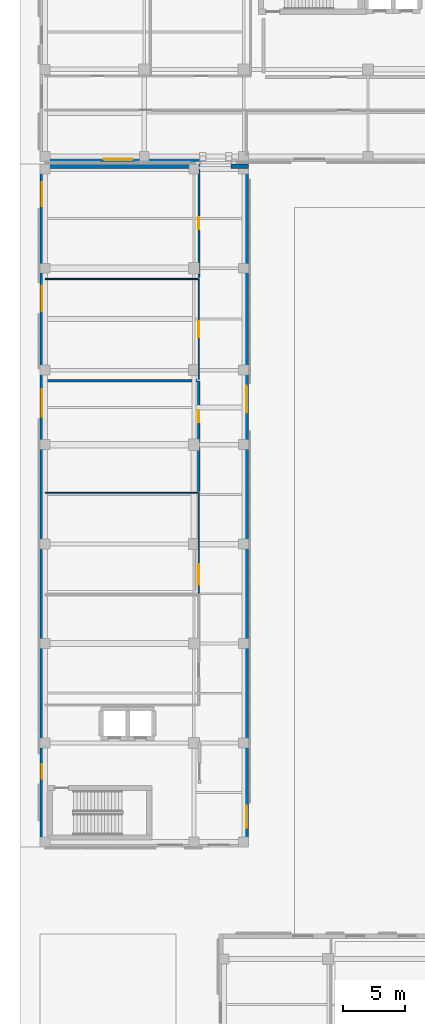
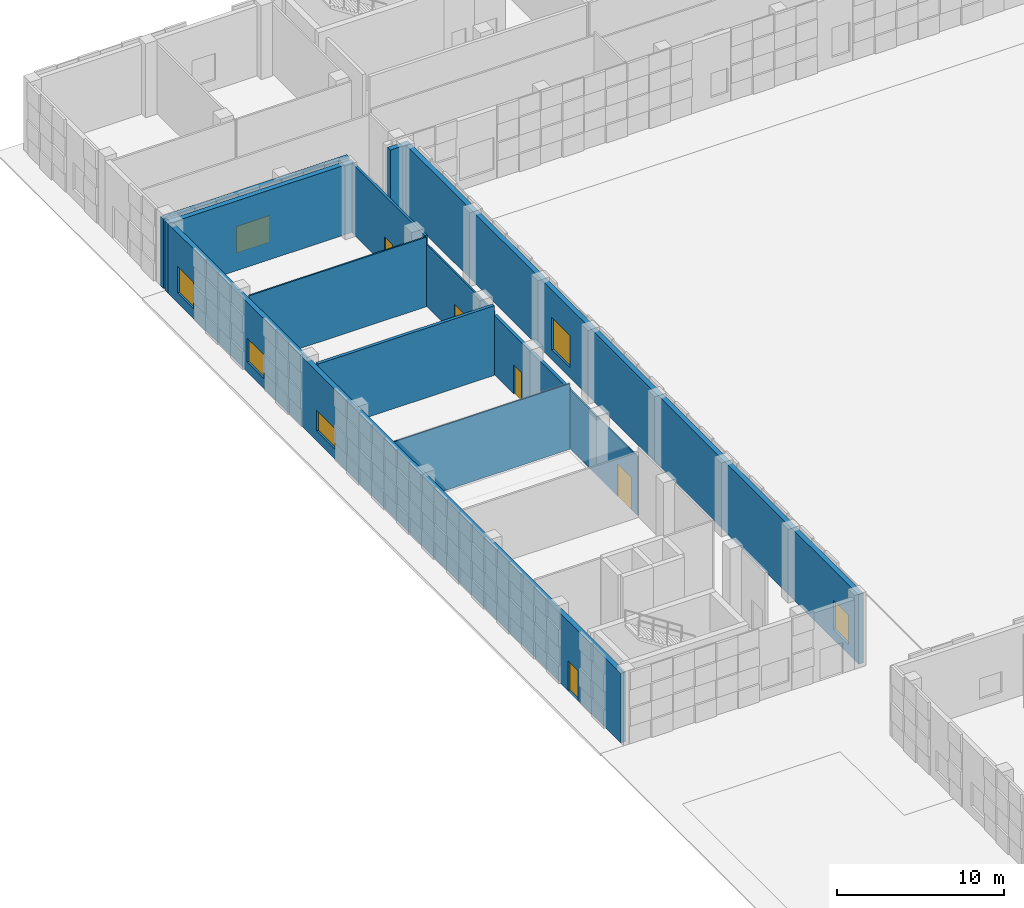
# One storey, part 13 of 40: 12 walls, 6 windows, 5 doors, 11 openings.
"""IFC4 building model written with IfcOpenShell, lengths in metres."""

from ifc_helpers import new_model, si_unit, direction, frame, frame_2d, origin, place, context, subcontext, project, spatial, rectangle, extrude, material, layer, layer_set, type_object, element, fill, save


model = new_model("IFC4")

# Units and contexts
model_context = context("Model", 3, precision=1e-05, world=origin(), true_north=direction((0.0, 1.0)))
body_context = subcontext(model_context, "Body", "Model", "MODEL_VIEW")
ifc_project = project(units=[si_unit("LENGTHUNIT", "METRE"), si_unit("AREAUNIT", "SQUARE_METRE"), si_unit("VOLUMEUNIT", "CUBIC_METRE"), si_unit("PLANEANGLEUNIT", "RADIAN"), si_unit("MASSUNIT", "GRAM", prefix="KILO")], contexts=[model_context])

# Site, building, storey
site_placement = place(None, origin())
site = spatial("IfcSite", under=ifc_project, at=site_placement, CompositionType="ELEMENT")
building_placement = place(site_placement, origin())
building = spatial("IfcBuilding", under=site, at=building_placement, Name="Qalavern Law Courts", CompositionType="ELEMENT")
storey_placement = place(building_placement, origin())
storey = spatial("IfcBuildingStorey", under=building, at=storey_placement, Name="L00", CompositionType="ELEMENT", Elevation=0.0)

# Wall, openings, windows
ifc_material_1 = material(Name="Concrete C40/50", Category="concrete")
ifc_layer_1 = layer(ifc_material_1, 0.340087890625)
ifc_layer_set_1 = layer_set([ifc_layer_1], Name="Concrete C40/50")
wall_type_1 = type_object("IfcWallType", Name="ENV-EW-340", PredefinedType="SOLIDWALL", material=ifc_layer_set_1)
wall_1_placement = place(storey_placement, frame((18.6298828125, 41.35498046875, 0.0), z_axis=(0.0, 0.0, 1.0), x_axis=(0.0, 1.0, 0.0)))
wall_1 = element("IfcWall", 1, at=wall_1_placement, inside=storey, type_object=wall_type_1, Name="V3 exterior wall L00 east 1", PredefinedType="SOLIDWALL", context=body_context, shape_type="SweptSolid", body=[
    extrude(rectangle(XDim=54.2900390625, YDim=0.340087890625, at=frame_2d((27.14501953125, 0.0))), origin(), (0.0, 0.0, 1.0), 5.10009765625),
])
opening_1_placement = place(wall_1_placement, frame((1.175048828125, 0.0, 0.719970703125)))
opening_1 = element("IfcOpeningElement", 2, at=opening_1_placement, cuts=wall_1, Name="Opening WN-29", PredefinedType="OPENING", context=body_context, shape_type="SweptSolid", body=[
    extrude(rectangle(XDim=1.85009765625, YDim=2.14990234375, at=frame_2d((0.925048828125, 1.074951171875))), frame((0.0, 0.18505859375, 0.0), z_axis=(0.0, -1.0, 0.0), x_axis=(1.0, 0.0, 0.0)), (0.0, 0.0, 1.0), 0.369873046875),
])
opening_2_placement = place(wall_1_placement, frame((34.60009765625, 0.0, 0.719970703125)))
opening_2 = element("IfcOpeningElement", 3, at=opening_2_placement, cuts=wall_1, Name="Opening WN-37", PredefinedType="OPENING", context=body_context, shape_type="SweptSolid", body=[
    extrude(rectangle(XDim=2.199951171875, YDim=2.35009765625, at=frame_2d((1.10009765625, 1.175048828125))), frame((0.0, 0.18505859375, 0.0), z_axis=(0.0, -1.0, 0.0), x_axis=(1.0, 0.0, 0.0)), (0.0, 0.0, 1.0), 0.369873046875),
])
ifc_material_2 = material(Name="Anodised aluminium frame with low-E double glazing", Category="aluminium")
window_type_1 = type_object("IfcWindowType", Name="ENV-WIN-1850x2150", PartitioningType="SINGLE_PANEL", PredefinedType="WINDOW", material=ifc_material_2)
window_1_placement = place(opening_1_placement, origin())
window_1 = element("IfcWindow", 4, at=window_1_placement, inside=storey, type_object=window_type_1, Name="V3 window L00 east 1", OverallHeight=2.14990234375, OverallWidth=1.85009765625, PartitioningType="SINGLE_PANEL", PredefinedType="WINDOW", context=body_context, shape_type="SweptSolid", body=[
    extrude(rectangle(XDim=1.85009765625, YDim=2.14990234375, at=frame_2d((0.925048828125, 1.074951171875))), frame((0.0, 0.030029296875, 0.0), z_axis=(0.0, -1.0, 0.0), x_axis=(1.0, 0.0, 0.0)), (0.0, 0.0, 1.0), 0.06005859375),
])
fill(opening_1, window_1)
window_type_2 = type_object("IfcWindowType", Name="ENV-WIN-2200x2350", PartitioningType="SINGLE_PANEL", PredefinedType="WINDOW", material=ifc_material_2)
window_2_placement = place(opening_2_placement, origin())
window_2 = element("IfcWindow", 5, at=window_2_placement, inside=storey, type_object=window_type_2, Name="V3 window L00 east 9", OverallHeight=2.35009765625, OverallWidth=2.199951171875, PartitioningType="SINGLE_PANEL", PredefinedType="WINDOW", context=body_context, shape_type="SweptSolid", body=[
    extrude(rectangle(XDim=2.199951171875, YDim=2.35009765625, at=frame_2d((1.10009765625, 1.175048828125))), frame((0.0, 0.030029296875, 0.0), z_axis=(0.0, -1.0, 0.0), x_axis=(1.0, 0.0, 0.0)), (0.0, 0.0, 1.0), 0.06005859375),
])
fill(opening_2, window_2)

# Walls
wall_2_placement = place(storey_placement, frame((18.800048828125, 95.81005859375, 0.0), z_axis=(0.0, 0.0, 1.0), x_axis=(-1.0, 0.0, 0.0)))
element("IfcWall", 6, at=wall_2_placement, inside=storey, type_object=wall_type_1, Name="V3 exterior wall L00 north 1", PredefinedType="SOLIDWALL", context=body_context, shape_type="SweptSolid", body=[
    extrude(rectangle(XDim=1.400146484375, YDim=0.340087890625, at=frame_2d((0.7001953125, 0.0))), origin(), (0.0, 0.0, 1.0), 5.10009765625),
])
wall_3_placement = place(storey_placement, frame((14.89990234375, 95.81005859375, 0.0), z_axis=(0.0, 0.0, 1.0), x_axis=(-1.0, 0.0, 0.0)))
element("IfcWall", 7, at=wall_3_placement, inside=storey, type_object=wall_type_1, Name="V3 exterior wall L00 north 2", PredefinedType="SOLIDWALL", context=body_context, shape_type="SweptSolid", body=[
    extrude(rectangle(XDim=12.89990234375, YDim=0.340087890625, at=frame_2d((6.449951171875, 0.0))), origin(), (0.0, 0.0, 1.0), 5.10009765625),
])

# Wall, openings, door, windows
wall_4_placement = place(storey_placement, frame((2.169921875, 95.64501953125, 0.0), z_axis=(0.0, 0.0, 1.0), x_axis=(0.0, -1.0, 0.0)))
wall_4 = element("IfcWall", 8, at=wall_4_placement, inside=storey, type_object=wall_type_1, Name="V3 exterior wall L00 west 1", PredefinedType="SOLIDWALL", context=body_context, shape_type="SweptSolid", body=[
    extrude(rectangle(XDim=54.2900390625, YDim=0.340087890625, at=frame_2d((27.14501953125, 0.0))), origin(), (0.0, 0.0, 1.0), 5.10009765625),
])
opening_3_placement = place(wall_4_placement, frame((47.945068359375, 0.0, 0.0)))
opening_3 = element("IfcOpeningElement", 9, at=opening_3_placement, cuts=wall_4, Name="Opening ED-ST-K2", PredefinedType="OPENING", context=body_context, shape_type="SweptSolid", body=[
    extrude(rectangle(XDim=1.199951171875, YDim=2.199951171875, at=frame_2d((0.60009765625, 1.10009765625))), frame((0.0, 0.18505859375, 0.0), z_axis=(0.0, -1.0, 0.0), x_axis=(1.0, 0.0, 0.0)), (0.0, 0.0, 1.0), 0.369873046875),
])
opening_4_placement = place(wall_4_placement, frame((1.125, 0.0, 0.719970703125)))
opening_4 = element("IfcOpeningElement", 10, at=opening_4_placement, cuts=wall_4, Name="Opening WN-22", PredefinedType="OPENING", context=body_context, shape_type="SweptSolid", body=[
    extrude(rectangle(XDim=1.949951171875, YDim=1.949951171875, at=frame_2d((0.97509765625, 0.97509765625))), frame((0.0, 0.18505859375, 0.0), z_axis=(0.0, -1.0, 0.0), x_axis=(1.0, 0.0, 0.0)), (0.0, 0.0, 1.0), 0.369873046875),
])
opening_5_placement = place(wall_4_placement, frame((9.47509765625, 0.0, 0.719970703125)))
opening_5 = element("IfcOpeningElement", 11, at=opening_5_placement, cuts=wall_4, Name="Opening WN-15", PredefinedType="OPENING", context=body_context, shape_type="SweptSolid", body=[
    extrude(rectangle(XDim=2.050048828125, YDim=1.75, at=frame_2d((1.02490234375, 0.875))), frame((0.0, 0.18505859375, 0.0), z_axis=(0.0, -1.0, 0.0), x_axis=(1.0, 0.0, 0.0)), (0.0, 0.0, 1.0), 0.369873046875),
])
opening_6_placement = place(wall_4_placement, frame((17.800048828125, 0.0, 0.719970703125)))
opening_6 = element("IfcOpeningElement", 12, at=opening_6_placement, cuts=wall_4, Name="Opening WN-08", PredefinedType="OPENING", context=body_context, shape_type="SweptSolid", body=[
    extrude(rectangle(XDim=2.199951171875, YDim=1.5, at=frame_2d((1.10009765625, 0.75))), frame((0.0, 0.18505859375, 0.0), z_axis=(0.0, -1.0, 0.0), x_axis=(1.0, 0.0, 0.0)), (0.0, 0.0, 1.0), 0.369873046875),
])
ifc_material_3 = material(Name="Thermally broken anodised aluminium and laminated safety glass", Category="aluminium")
door_type_1 = type_object("IfcDoorType", Name="ENV-ED-1200x2200", OperationType="NOTDEFINED", PredefinedType="DOOR", material=ifc_material_3)
door_1_placement = place(opening_3_placement, frame((1.199951171875, 0.0, 0.0), z_axis=(0.0, 0.0, 1.0), x_axis=(-1.0, 0.0, 0.0)))
door_1 = element("IfcDoor", 13, at=door_1_placement, inside=storey, type_object=door_type_1, Name="Ground pedestrian exit door ED-ST-K2", OperationType="SINGLE_SWING_LEFT", OverallHeight=2.199951171875, OverallWidth=1.199951171875, PredefinedType="DOOR", context=body_context, shape_type="SweptSolid", body=[
    extrude(rectangle(XDim=1.199951171875, YDim=2.199951171875, at=frame_2d((0.60009765625, 1.10009765625))), frame((0.0, 0.02490234375, 0.0), z_axis=(0.0, -1.0, 0.0), x_axis=(1.0, 0.0, 0.0)), (0.0, 0.0, 1.0), 0.050048828125),
])
fill(opening_3, door_1)
window_type_3 = type_object("IfcWindowType", Name="ENV-WIN-1950x1950", PartitioningType="SINGLE_PANEL", PredefinedType="WINDOW", material=ifc_material_2)
window_3_placement = place(opening_4_placement, origin())
window_3 = element("IfcWindow", 14, at=window_3_placement, inside=storey, type_object=window_type_3, Name="V3 window L00 west 1", OverallHeight=1.949951171875, OverallWidth=1.949951171875, PartitioningType="SINGLE_PANEL", PredefinedType="WINDOW", context=body_context, shape_type="SweptSolid", body=[
    extrude(rectangle(XDim=1.949951171875, YDim=1.949951171875, at=frame_2d((0.97509765625, 0.97509765625))), frame((0.0, 0.030029296875, 0.0), z_axis=(0.0, -1.0, 0.0), x_axis=(1.0, 0.0, 0.0)), (0.0, 0.0, 1.0), 0.06005859375),
])
fill(opening_4, window_3)
window_type_4 = type_object("IfcWindowType", Name="ENV-WIN-2050x1750", PartitioningType="SINGLE_PANEL", PredefinedType="WINDOW", material=ifc_material_2)
window_4_placement = place(opening_5_placement, origin())
window_4 = element("IfcWindow", 15, at=window_4_placement, inside=storey, type_object=window_type_4, Name="V3 window L00 west 3", OverallHeight=1.75, OverallWidth=2.050048828125, PartitioningType="SINGLE_PANEL", PredefinedType="WINDOW", context=body_context, shape_type="SweptSolid", body=[
    extrude(rectangle(XDim=2.050048828125, YDim=1.75, at=frame_2d((1.02490234375, 0.875))), frame((0.0, 0.030029296875, 0.0), z_axis=(0.0, -1.0, 0.0), x_axis=(1.0, 0.0, 0.0)), (0.0, 0.0, 1.0), 0.06005859375),
])
fill(opening_5, window_4)
window_type_5 = type_object("IfcWindowType", Name="ENV-WIN-2200x1500", PartitioningType="SINGLE_PANEL", PredefinedType="WINDOW", material=ifc_material_2)
window_5_placement = place(opening_6_placement, origin())
window_5 = element("IfcWindow", 16, at=window_5_placement, inside=storey, type_object=window_type_5, Name="V3 window L00 west 5", OverallHeight=1.5, OverallWidth=2.199951171875, PartitioningType="SINGLE_PANEL", PredefinedType="WINDOW", context=body_context, shape_type="SweptSolid", body=[
    extrude(rectangle(XDim=2.199951171875, YDim=1.5, at=frame_2d((1.10009765625, 0.75))), frame((0.0, 0.030029296875, 0.0), z_axis=(0.0, -1.0, 0.0), x_axis=(1.0, 0.0, 0.0)), (0.0, 0.0, 1.0), 0.06005859375),
])
fill(opening_6, window_5)

# Wall, opening, window
wall_5_placement = place(storey_placement, frame((2.0, 96.3701171875, 0.0), z_axis=(0.0, 0.0, 1.0), x_axis=(1.0, 0.0, 0.0)))
wall_5 = element("IfcWall", 17, at=wall_5_placement, inside=storey, type_object=wall_type_1, Name="V5 exterior wall L00 south 1", PredefinedType="SOLIDWALL", context=body_context, shape_type="SweptSolid", body=[
    extrude(rectangle(XDim=12.89990234375, YDim=0.340087890625, at=frame_2d((6.449951171875, 0.0))), origin(), (0.0, 0.0, 1.0), 5.10009765625),
])
opening_7_placement = place(wall_5_placement, frame((5.125, 0.0, 0.719970703125)))
opening_7 = element("IfcOpeningElement", 18, at=opening_7_placement, cuts=wall_5, Name="Opening WN-24", PredefinedType="OPENING", context=body_context, shape_type="SweptSolid", body=[
    extrude(rectangle(XDim=2.35009765625, YDim=1.949951171875, at=frame_2d((1.175048828125, 0.97509765625))), frame((0.0, 0.18505859375, 0.0), z_axis=(0.0, -1.0, 0.0), x_axis=(1.0, 0.0, 0.0)), (0.0, 0.0, 1.0), 0.369873046875),
])
window_type_6 = type_object("IfcWindowType", Name="ENV-WIN-2350x1950", PartitioningType="SINGLE_PANEL", PredefinedType="WINDOW", material=ifc_material_2)
window_6_placement = place(opening_7_placement, origin())
window_6 = element("IfcWindow", 19, at=window_6_placement, inside=storey, type_object=window_type_6, Name="V5 window L00 south 2", OverallHeight=1.949951171875, OverallWidth=2.35009765625, PartitioningType="SINGLE_PANEL", PredefinedType="WINDOW", context=body_context, shape_type="SweptSolid", body=[
    extrude(rectangle(XDim=2.35009765625, YDim=1.949951171875, at=frame_2d((1.175048828125, 0.97509765625))), frame((0.0, 0.030029296875, 0.0), z_axis=(0.0, -1.0, 0.0), x_axis=(1.0, 0.0, 0.0)), (0.0, 0.0, 1.0), 0.06005859375),
])
fill(opening_7, window_6)

# Wall, opening, door
ifc_material_4 = material(Name="Gypsum shaft/chase partition")
ifc_layer_2 = layer(ifc_material_4, 0.092041015625)
ifc_layer_set_2 = layer_set([ifc_layer_2], Name="Gypsum shaft/chase partition")
wall_type_2 = type_object("IfcWallType", Name="INT-PW-092", PredefinedType="PARTITIONING", material=ifc_layer_set_2)
wall_6_placement = place(storey_placement, frame((14.7900390625, 61.443115234375, 0.0), z_axis=(0.0, 0.0, 1.0), x_axis=(0.0, 1.0, 0.0)))
wall_6 = element("IfcWall", 20, at=wall_6_placement, inside=storey, type_object=wall_type_2, Name="Duty Magistrates' Courtroom corridor partition L00", PredefinedType="PARTITIONING", context=body_context, shape_type="SweptSolid", body=[
    extrude(rectangle(XDim=8.075927734375, YDim=0.092041015625, at=frame_2d((4.0380859375, 0.0))), origin(), (0.0, 0.0, 1.0), 4.330078125),
])
opening_8_placement = place(wall_6_placement, frame((0.698974609375, 0.0, 0.0)))
opening_8 = element("IfcOpeningElement", 21, at=opening_8_placement, cuts=wall_6, Name="Opening L00-D206", PredefinedType="OPENING", context=body_context, shape_type="SweptSolid", body=[
    extrude(rectangle(XDim=1.64990234375, YDim=2.35009765625, at=frame_2d((0.824951171875, 1.175048828125))), frame((0.0, 0.06103515625, 0.0), z_axis=(0.0, -1.0, 0.0), x_axis=(1.0, 0.0, 0.0)), (0.0, 0.0, 1.0), 0.121826171875),
])
ifc_material_5 = material(Name="Acoustic oak double Ceremonial Courtroom door")
door_type_2 = type_object("IfcDoorType", Name="INT-ID-1650x2350", OperationType="DOUBLE_DOOR_SINGLE_SWING", PredefinedType="DOOR", material=ifc_material_5)
door_2_placement = place(opening_8_placement, frame((1.64990234375, 0.0, 0.0), z_axis=(0.0, 0.0, 1.0), x_axis=(-1.0, 0.0, 0.0)))
door_2 = element("IfcDoor", 22, at=door_2_placement, inside=storey, type_object=door_type_2, Name="Duty Magistrates' Courtroom door L00", OperationType="DOUBLE_DOOR_SINGLE_SWING", OverallHeight=2.35009765625, OverallWidth=1.64990234375, PredefinedType="DOOR", context=body_context, shape_type="SweptSolid", body=[
    extrude(rectangle(XDim=1.64990234375, YDim=2.35009765625, at=frame_2d((0.824951171875, 1.175048828125))), frame((0.0, 0.02490234375, 0.0), z_axis=(0.0, -1.0, 0.0), x_axis=(1.0, 0.0, 0.0)), (0.0, 0.0, 1.0), 0.050048828125),
])
fill(opening_8, door_2)

# Wall
wall_7_placement = place(storey_placement, frame((2.43994140625, 69.51904296875, 0.0), z_axis=(0.0, 0.0, 1.0), x_axis=(1.0, 0.0, 0.0)))
element("IfcWall", 23, at=wall_7_placement, inside=storey, type_object=wall_type_2, Name="Duty Magistrates' Courtroom cross partition L00 north", PredefinedType="PARTITIONING", context=body_context, shape_type="SweptSolid", body=[
    extrude(rectangle(XDim=12.2841796875, YDim=0.092041015625, at=frame_2d((6.14208984375, 0.0))), origin(), (0.0, 0.0, 1.0), 4.81005859375),
])

# Wall, opening, door
ifc_material_6 = material(Name="Gypsum sanitary partition")
ifc_layer_3 = layer(ifc_material_6, 0.10205078125)
ifc_layer_set_3 = layer_set([ifc_layer_3], Name="Gypsum sanitary partition")
wall_type_3 = type_object("IfcWallType", Name="INT-PW-102", PredefinedType="PARTITIONING", material=ifc_layer_set_3)
wall_8_placement = place(storey_placement, frame((14.7900390625, 78.658935546875, 0.0), z_axis=(0.0, 0.0, 1.0), x_axis=(0.0, 1.0, 0.0)))
wall_8 = element("IfcWall", 24, at=wall_8_placement, inside=storey, type_object=wall_type_3, Name="Witness Waiting Room corridor partition L00", PredefinedType="PARTITIONING", context=body_context, shape_type="SweptSolid", body=[
    extrude(rectangle(XDim=8.074951171875, YDim=0.10205078125, at=frame_2d((4.03759765625, 0.0))), origin(), (0.0, 0.0, 1.0), 4.530029296875),
])
opening_9_placement = place(wall_8_placement, frame((3.3974609375, 0.0, 0.0)))
opening_9 = element("IfcOpeningElement", 25, at=opening_9_placement, cuts=wall_8, Name="Opening L00-D208", PredefinedType="OPENING", context=body_context, shape_type="SweptSolid", body=[
    extrude(rectangle(XDim=1.280029296875, YDim=2.179931640625, at=frame_2d((0.64013671875, 1.08984375))), frame((0.0, 0.06591796875, 0.0), z_axis=(0.0, -1.0, 0.0), x_axis=(1.0, 0.0, 0.0)), (0.0, 0.0, 1.0), 0.1318359375),
])
ifc_material_7 = material(Name="Wide oak Judicial Conference door")
door_type_3 = type_object("IfcDoorType", Name="INT-ID-1280x2180", OperationType="NOTDEFINED", PredefinedType="DOOR", material=ifc_material_7)
door_3_placement = place(opening_9_placement, frame((1.280029296875, 0.0, 0.0), z_axis=(0.0, 0.0, 1.0), x_axis=(-1.0, 0.0, 0.0)))
door_3 = element("IfcDoor", 26, at=door_3_placement, inside=storey, type_object=door_type_3, Name="Witness Waiting Room door L00", OperationType="SINGLE_SWING_LEFT", OverallHeight=2.179931640625, OverallWidth=1.280029296875, PredefinedType="DOOR", context=body_context, shape_type="SweptSolid", body=[
    extrude(rectangle(XDim=1.280029296875, YDim=2.179931640625, at=frame_2d((0.64013671875, 1.08984375))), frame((0.0, 0.02490234375, 0.0), z_axis=(0.0, -1.0, 0.0), x_axis=(1.0, 0.0, 0.0)), (0.0, 0.0, 1.0), 0.050048828125),
])
fill(opening_9, door_3)

# Wall
wall_9_placement = place(storey_placement, frame((2.43994140625, 86.73388671875, 0.0), z_axis=(0.0, 0.0, 1.0), x_axis=(1.0, 0.0, 0.0)))
element("IfcWall", 27, at=wall_9_placement, inside=storey, type_object=wall_type_3, Name="Witness Waiting Room cross partition L00 north", PredefinedType="PARTITIONING", context=body_context, shape_type="SweptSolid", body=[
    extrude(rectangle(XDim=12.279052734375, YDim=0.10205078125, at=frame_2d((6.1396484375, 0.0))), origin(), (0.0, 0.0, 1.0), 5.10009765625),
])

# Wall, opening, door
ifc_material_8 = material(Name="Gypsum stud partition")
ifc_layer_4 = layer(ifc_material_8, 0.162109375)
ifc_layer_set_4 = layer_set([ifc_layer_4], Name="Gypsum stud partition")
wall_type_4 = type_object("IfcWallType", Name="INT-PW-162", PredefinedType="PARTITIONING", material=ifc_layer_set_4)
wall_10_placement = place(storey_placement, frame((14.7900390625, 86.85400390625, 0.0), z_axis=(0.0, 0.0, 1.0), x_axis=(0.0, 1.0, 0.0)))
wall_10 = element("IfcWall", 28, at=wall_10_placement, inside=storey, type_object=wall_type_4, Name="Accessible WC corridor partition L00", PredefinedType="PARTITIONING", context=body_context, shape_type="SweptSolid", body=[
    extrude(rectangle(XDim=8.74609375, YDim=0.162109375, at=frame_2d((4.373046875, 0.0))), origin(), (0.0, 0.0, 1.0), 5.10009765625),
])
opening_10_placement = place(wall_10_placement, frame((3.903076171875, 0.0, 0.0)))
opening_10 = element("IfcOpeningElement", 29, at=opening_10_placement, cuts=wall_10, Name="Opening L00-D209", PredefinedType="OPENING", context=body_context, shape_type="SweptSolid", body=[
    extrude(rectangle(XDim=0.93994140625, YDim=2.070068359375, at=frame_2d((0.469970703125, 1.03515625))), frame((0.0, 0.095947265625, 0.0), z_axis=(0.0, -1.0, 0.0), x_axis=(1.0, 0.0, 0.0)), (0.0, 0.0, 1.0), 0.19189453125),
])
ifc_material_9 = material(Name="Accessible WC outward-clear door")
door_type_4 = type_object("IfcDoorType", Name="INT-ID-940x2070", OperationType="NOTDEFINED", PredefinedType="DOOR", material=ifc_material_9)
door_4_placement = place(opening_10_placement, frame((0.93994140625, 0.0, 0.0), z_axis=(0.0, 0.0, 1.0), x_axis=(-1.0, 0.0, 0.0)))
door_4 = element("IfcDoor", 30, at=door_4_placement, inside=storey, type_object=door_type_4, Name="Accessible WC door L00", OperationType="SINGLE_SWING_RIGHT", OverallHeight=2.070068359375, OverallWidth=0.93994140625, PredefinedType="DOOR", context=body_context, shape_type="SweptSolid", body=[
    extrude(rectangle(XDim=0.93994140625, YDim=2.070068359375, at=frame_2d((0.469970703125, 1.03515625))), frame((0.0, 0.02490234375, 0.0), z_axis=(0.0, -1.0, 0.0), x_axis=(1.0, 0.0, 0.0)), (0.0, 0.0, 1.0), 0.050048828125),
])
fill(opening_10, door_4)

ifc_material_10 = material(Name="Gypsum acoustic double-stud partition")
ifc_layer_5 = layer(ifc_material_10, 0.2119140625)
ifc_layer_set_5 = layer_set([ifc_layer_5], Name="Gypsum acoustic double-stud partition")
wall_type_5 = type_object("IfcWallType", Name="INT-PW-212", PredefinedType="PARTITIONING", material=ifc_layer_set_5)
wall_11_placement = place(storey_placement, frame((14.7900390625, 69.638916015625, 0.0), z_axis=(0.0, 0.0, 1.0), x_axis=(0.0, 1.0, 0.0)))
wall_11 = element("IfcWall", 31, at=wall_11_placement, inside=storey, type_object=wall_type_5, Name="Custody Holding Cell corridor partition L00", PredefinedType="PARTITIONING", context=body_context, shape_type="SweptSolid", body=[
    extrude(rectangle(XDim=8.900146484375, YDim=0.2119140625, at=frame_2d((4.4501953125, 0.0))), origin(), (0.0, 0.0, 1.0), 4.330078125),
])
opening_11_placement = place(wall_11_placement, frame((5.574951171875, 0.0, 0.0)))
opening_11 = element("IfcOpeningElement", 32, at=opening_11_placement, cuts=wall_11, Name="Opening L00-D207", PredefinedType="OPENING", context=body_context, shape_type="SweptSolid", body=[
    extrude(rectangle(XDim=0.949951171875, YDim=2.1201171875, at=frame_2d((0.47509765625, 1.06005859375))), frame((0.0, 0.120849609375, 0.0), z_axis=(0.0, -1.0, 0.0), x_axis=(1.0, 0.0, 0.0)), (0.0, 0.0, 1.0), 0.24169921875),
])
ifc_material_11 = material(Name="Heavy steel Custody Holding Cell door", Category="steel")
door_type_5 = type_object("IfcDoorType", Name="INT-ID-950x2120", OperationType="NOTDEFINED", PredefinedType="DOOR", material=ifc_material_11)
door_5_placement = place(opening_11_placement, frame((0.949951171875, 0.0, 0.0), z_axis=(0.0, 0.0, 1.0), x_axis=(-1.0, 0.0, 0.0)))
door_5 = element("IfcDoor", 33, at=door_5_placement, inside=storey, type_object=door_type_5, Name="Custody Holding Cell door L00", OperationType="SINGLE_SWING_RIGHT", OverallHeight=2.1201171875, OverallWidth=0.949951171875, PredefinedType="DOOR", context=body_context, shape_type="SweptSolid", body=[
    extrude(rectangle(XDim=0.949951171875, YDim=2.1201171875, at=frame_2d((0.47509765625, 1.06005859375))), frame((0.0, 0.02490234375, 0.0), z_axis=(0.0, -1.0, 0.0), x_axis=(1.0, 0.0, 0.0)), (0.0, 0.0, 1.0), 0.050048828125),
])
fill(opening_11, door_5)

# Wall
wall_12_placement = place(storey_placement, frame((2.43994140625, 78.5390625, 0.0), z_axis=(0.0, 0.0, 1.0), x_axis=(1.0, 0.0, 0.0)))
element("IfcWall", 34, at=wall_12_placement, inside=storey, type_object=wall_type_5, Name="Custody Holding Cell cross partition L00 north", PredefinedType="PARTITIONING", context=body_context, shape_type="SweptSolid", body=[
    extrude(rectangle(XDim=12.22412109375, YDim=0.2119140625, at=frame_2d((6.112060546875, 0.0))), origin(), (0.0, 0.0, 1.0), 5.10009765625),
])

save(model, "model.ifc")
